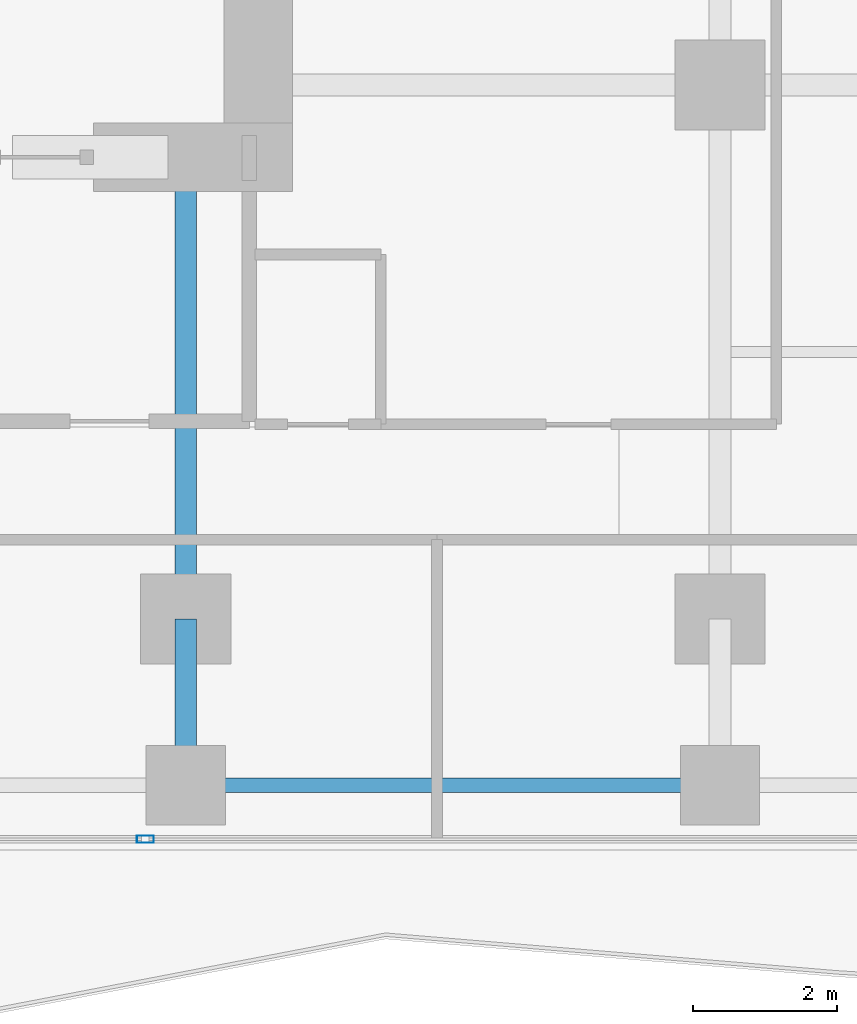
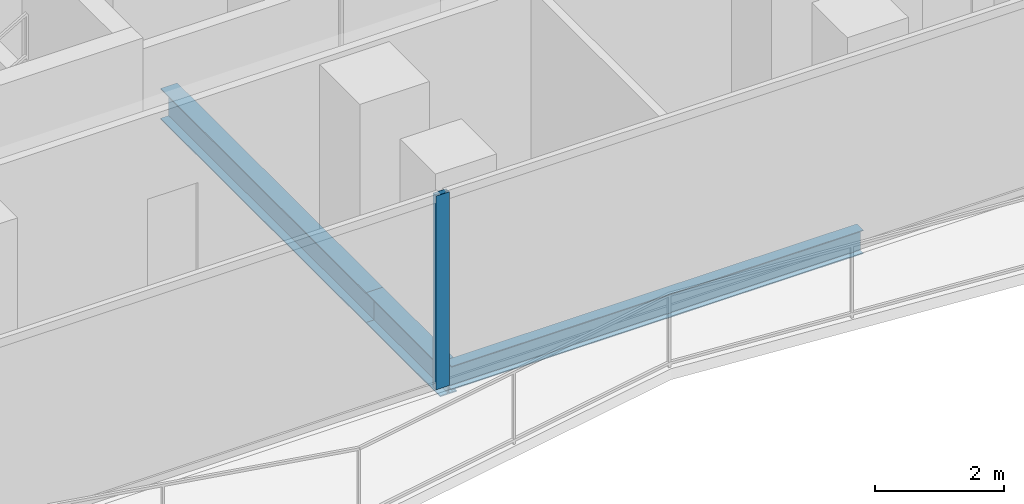
# One storey, part 4 of 27: 3 beams, 1 member, 1 element without a shape of its own.
"""IFC4 building model written with IfcOpenShell, lengths in metres."""

from ifc_helpers import new_model, si_unit, direction, frame, origin, origin_2d, place, context, subcontext, project, spatial, hollow_rectangle, i_section, extrude, material, layer, layer_set, material_profile, profile_set, type_object, element, aggregate, save


model = new_model("IFC4")

# Units and contexts
model_context = context("Model", 3, precision=1e-05, world=origin(), true_north=direction((0.0, 1.0)))
body_context = subcontext(model_context, "Body", "Model", "MODEL_VIEW")
ifc_project = project(units=[si_unit("LENGTHUNIT", "METRE"), si_unit("AREAUNIT", "SQUARE_METRE"), si_unit("VOLUMEUNIT", "CUBIC_METRE"), si_unit("PLANEANGLEUNIT", "RADIAN"), si_unit("MASSUNIT", "GRAM", prefix="KILO")], contexts=[model_context])

# Site, building, storey
site_placement = place(None, origin())
site = spatial("IfcSite", under=ifc_project, at=site_placement, CompositionType="ELEMENT")
building_placement = place(site_placement, origin())
building = spatial("IfcBuilding", under=site, at=building_placement, Name="Khorvyn Point Tower", CompositionType="ELEMENT")
storey_placement = place(building_placement, frame((0.0, 0.0, 125.10009765625)))
storey = spatial("IfcBuildingStorey", under=building, at=storey_placement, Name="L31", CompositionType="ELEMENT", Elevation=125.10009765625)

# Curtain wall, member
ifc_material_1 = material(Name="Anodised aluminium 6063-T6 and laminated Low-E glass", Category="aluminium")
ifc_layer = layer(ifc_material_1, 0.18994140625)
ifc_layer_set = layer_set([ifc_layer], Name="Stick-Built Acoustic Curtain Wall CW-SYS-03")
curtain_wall_type = type_object("IfcCurtainWallType", Name="Stick-Built Acoustic Curtain Wall CW-SYS-03", PredefinedType="NOTDEFINED", material=ifc_layer_set)
curtain_wall_placement = place(storey_placement, origin())
curtain_wall = element("IfcCurtainWall", 1, at=curtain_wall_placement, inside=storey, type_object=curtain_wall_type, Name="Curtain Wall", PredefinedType="NOTDEFINED")
ifc_material_2 = material(Name="Anodised aluminium 6063-T6", Category="aluminium")
ifc_material_profile_1 = material_profile(ifc_material_2, hollow_rectangle(XDim=0.10009765625, YDim=0.239990234375, WallThickness=0.0048828125, at=origin_2d()))
ifc_profile_set_1 = profile_set([ifc_material_profile_1], Name="Anodised aluminium 6063-T6 ALU-MUL-100x240")
member_type = type_object("IfcMemberType", Name="Anodised Aluminium 6063-T6 Mullion ALU-MUL-100x240", PredefinedType="MULLION", material=ifc_profile_set_1)
member_placement = place(storey_placement, frame((6.83837890625, -17.85009765625, 0.0), z_axis=(0.0, 0.0, 1.0), x_axis=(0.0, -1.0, 0.0)))
member = element("IfcMember", 2, at=member_placement, type_object=member_type, Name="Transom", PredefinedType="MULLION", context=body_context, shape_type="SweptSolid", body=[
    extrude(hollow_rectangle(XDim=0.10009765625, YDim=0.239990234375, WallThickness=0.0048828125, at=origin_2d()), origin(), (0.0, 0.0, 1.0), 3.679931640625),
])
aggregate(curtain_wall, [member])

# Beams
ifc_material_3 = material(Name="Steel S355", Category="steel")
ifc_material_profile_2 = material_profile(ifc_material_3, i_section(OverallWidth=0.300048828125, OverallDepth=0.587890625, WebThickness=0.011962890625, FlangeThickness=0.02001953125, at=origin_2d()))
ifc_profile_set_2 = profile_set([ifc_material_profile_2], Name="Steel S355 H588x300x12x20")
beam_type_1 = type_object("IfcBeamType", Name="Steel S355 Beam H588x300x12x20", PredefinedType="BEAM", material=ifc_profile_set_2)
beam_1_placement = place(storey_placement, frame((7.39990234375, -17.10009765625, -0.51416015625), z_axis=(0.0, 1.0, 0.0), x_axis=(-1.0, 0.0, 0.0)))
element("IfcBeam", 3, at=beam_1_placement, inside=storey, type_object=beam_type_1, Name="Beam", PredefinedType="BEAM", context=body_context, shape_type="SweptSolid", body=[
    extrude(i_section(OverallWidth=0.300048828125, OverallDepth=0.587890625, WebThickness=0.011962890625, FlangeThickness=0.02001953125, at=origin_2d()), origin(), (0.0, 0.0, 1.0), 2.300048828125),
])
beam_2_placement = place(storey_placement, frame((7.39990234375, -14.800048828125, -0.51416015625), z_axis=(0.0, 1.0, 0.0), x_axis=(-1.0, 0.0, 0.0)))
element("IfcBeam", 4, at=beam_2_placement, inside=storey, type_object=beam_type_1, Name="Beam", PredefinedType="BEAM", context=body_context, shape_type="SweptSolid", body=[
    extrude(i_section(OverallWidth=0.300048828125, OverallDepth=0.587890625, WebThickness=0.011962890625, FlangeThickness=0.02001953125, at=origin_2d()), origin(), (0.0, 0.0, 1.0), 6.400146484375),
])
ifc_material_profile_3 = material_profile(ifc_material_3, i_section(OverallWidth=0.199951171875, OverallDepth=0.449951171875, WebThickness=0.009033203125, FlangeThickness=0.013916015625, at=origin_2d()))
ifc_profile_set_3 = profile_set([ifc_material_profile_3], Name="Steel S355 H450x200x9x14")
beam_type_2 = type_object("IfcBeamType", Name="Steel S355 Spandrel H450x200x9x14", PredefinedType="SPANDREL", material=ifc_profile_set_3)
beam_3_placement = place(storey_placement, frame((7.39990234375, -17.10009765625, -0.445068359375), z_axis=(1.0, 0.0, 0.0), x_axis=(0.0, 1.0, 0.0)))
element("IfcBeam", 5, at=beam_3_placement, inside=storey, type_object=beam_type_2, Name="Beam", PredefinedType="SPANDREL", context=body_context, shape_type="SweptSolid", body=[
    extrude(i_section(OverallWidth=0.199951171875, OverallDepth=0.449951171875, WebThickness=0.009033203125, FlangeThickness=0.013916015625, at=origin_2d()), origin(), (0.0, 0.0, 1.0), 7.400146484375),
])

save(model, "model.ifc")
